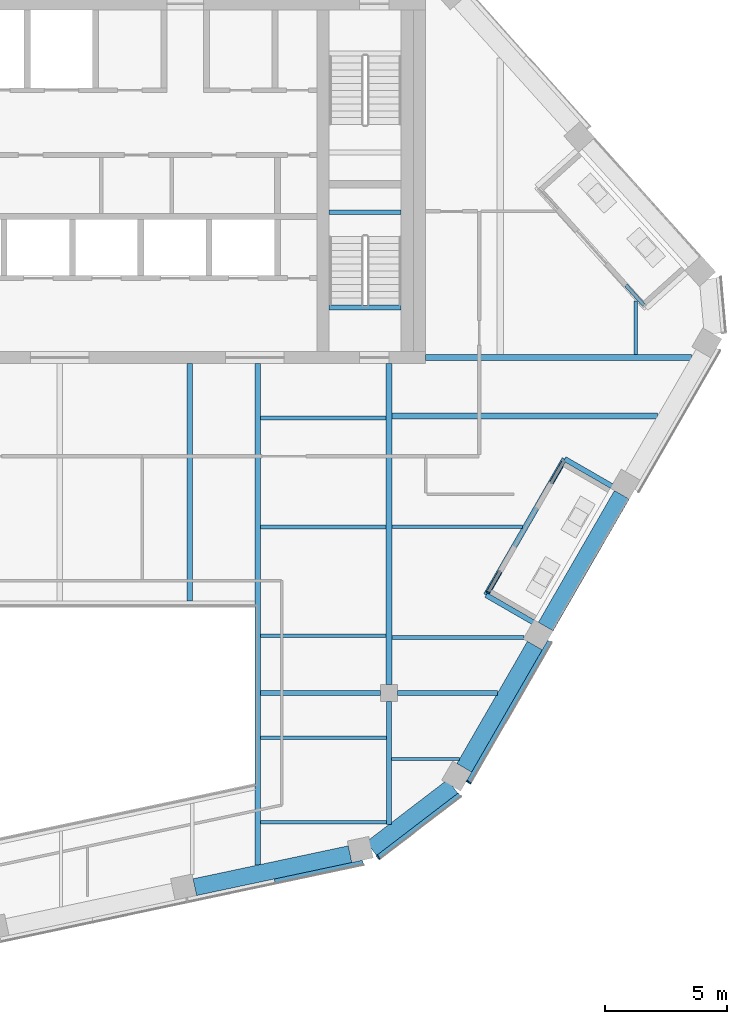
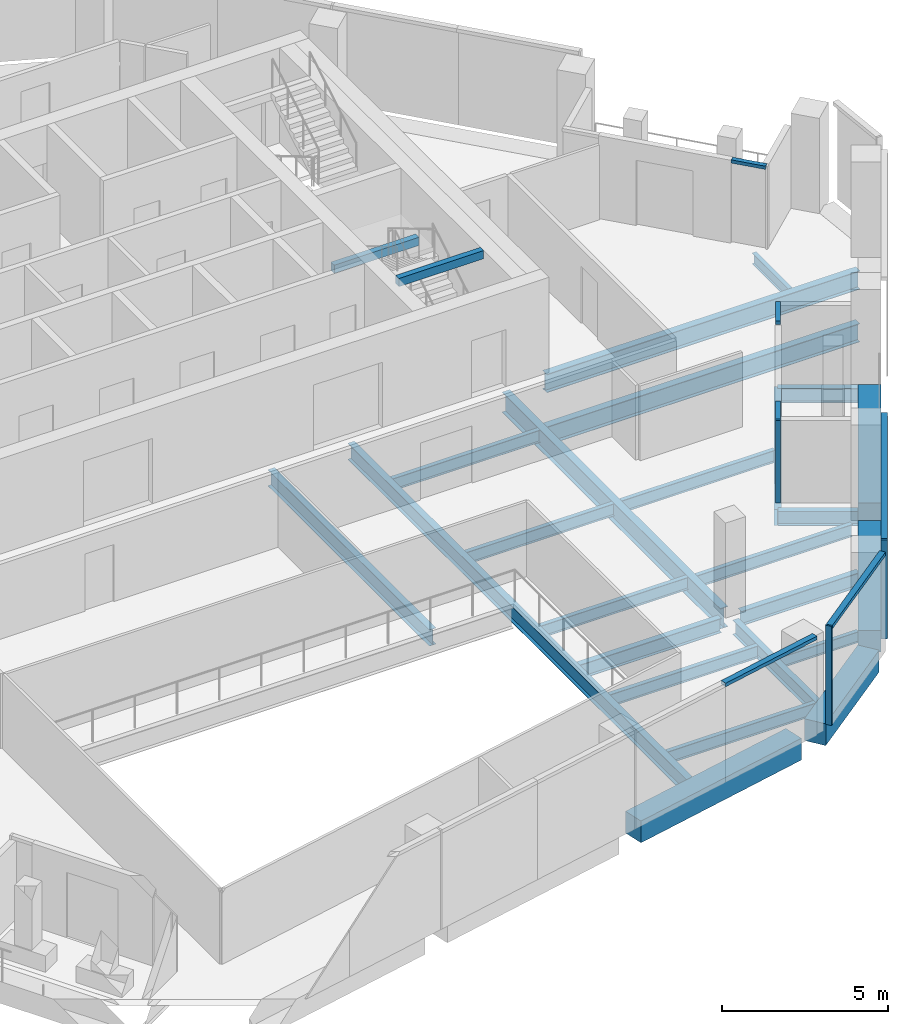
# One storey, part 5 of 20: 26 beams, 9 members, 5 elements without a shape of their own.
"""IFC4 building model written with IfcOpenShell, lengths in metres."""

from ifc_helpers import new_model, si_unit, direction, frame, origin, origin_2d, place, context, subcontext, project, spatial, rectangle, i_section, extrude, material, layer, layer_set, material_profile, profile_set, type_object, element, aggregate, save


model = new_model("IFC4")

# Units and contexts
model_context = context("Model", 3, precision=1e-05, world=origin(), true_north=direction((0.0, 1.0)))
body_context = subcontext(model_context, "Body", "Model", "MODEL_VIEW")
ifc_project = project(units=[si_unit("LENGTHUNIT", "METRE"), si_unit("AREAUNIT", "SQUARE_METRE"), si_unit("VOLUMEUNIT", "CUBIC_METRE"), si_unit("PLANEANGLEUNIT", "RADIAN"), si_unit("MASSUNIT", "GRAM", prefix="KILO")], contexts=[model_context])

# Site, building, storey
site_placement = place(None, origin())
site = spatial("IfcSite", under=ifc_project, at=site_placement, CompositionType="ELEMENT")
building_placement = place(site_placement, origin())
building = spatial("IfcBuilding", under=site, at=building_placement, Name="Isthmus Gate Tower", CompositionType="ELEMENT")
storey_placement = place(building_placement, frame((0.0, 0.0, 279.199951171875)))
storey = spatial("IfcBuildingStorey", under=building, at=storey_placement, Name="L71", CompositionType="ELEMENT", Elevation=279.199951171875)

# Curtain wall, member
ifc_material_1 = material(Name="Aluminium, pale champagne anodised", Category="aluminium")
ifc_layer_1 = layer(ifc_material_1, 0.199951171875)
ifc_layer_set_1 = layer_set([ifc_layer_1], Name="CW-1 UNITISED CURTAIN WALL 200 DEEP")
curtain_wall_type_1 = type_object("IfcCurtainWallType", Name="CW-1 UNITISED CURTAIN WALL 200 DEEP", PredefinedType="NOTDEFINED", material=ifc_layer_set_1)
curtain_wall_1_placement = place(storey_placement, origin())
curtain_wall_1 = element("IfcCurtainWall", 1, at=curtain_wall_1_placement, inside=storey, type_object=curtain_wall_type_1, Name="CW-1 S-SE L71", PredefinedType="NOTDEFINED")
ifc_material_2 = material(Name="Aluminium, pale champagne anodised", Category="aluminium")
ifc_material_profile_1 = material_profile(ifc_material_2, rectangle(XDim=0.06005859375, YDim=0.199951171875, at=origin_2d()), Name="60x200")
ifc_profile_set_1 = profile_set([ifc_material_profile_1], Name="Aluminium, pale champagne anodised")
member_type_1 = type_object("IfcMemberType", Name="CW-1 MULLION 60 X 200", PredefinedType="MULLION", material=ifc_profile_set_1)
member_1_placement = place(storey_placement, frame((13.055908203125, -20.241455078125, 0.0), z_axis=(0.0, 0.0, 1.0), x_axis=(0.794188594387, 0.607671355706, 0.0)))
member_1 = element("IfcMember", 2, at=member_1_placement, type_object=member_type_1, Name="CW-1 mullion", PredefinedType="MULLION", context=body_context, shape_type="SweptSolid", body=[
    extrude(rectangle(XDim=0.06005859375, YDim=0.199951171875, at=origin_2d()), origin(), (0.0, 0.0, 1.0), 3.650146484375),
])

curtain_wall_2_placement = place(storey_placement, origin())
curtain_wall_2 = element("IfcCurtainWall", 3, at=curtain_wall_2_placement, inside=storey, type_object=curtain_wall_type_1, Name="CW-1 SE L71", PredefinedType="NOTDEFINED")
member_2_placement = place(storey_placement, frame((16.765380859375, -17.161376953125, 0.0), z_axis=(0.0, 0.0, 1.0), x_axis=(0.5, 0.866025403784, 0.0)))
member_2 = element("IfcMember", 4, at=member_2_placement, type_object=member_type_1, Name="CW-1 mullion", PredefinedType="MULLION", context=body_context, shape_type="SweptSolid", body=[
    extrude(rectangle(XDim=0.06005859375, YDim=0.199951171875, at=origin_2d()), origin(), (0.0, 0.0, 1.0), 3.650146484375),
])

curtain_wall_3_placement = place(storey_placement, origin())
curtain_wall_3 = element("IfcCurtainWall", 5, at=curtain_wall_3_placement, inside=storey, type_object=curtain_wall_type_1, Name="CW-1 S L71", PredefinedType="NOTDEFINED")
ifc_material_3 = material(Name="Aluminium, pale champagne anodised", Category="aluminium")
ifc_material_profile_2 = material_profile(ifc_material_3, rectangle(XDim=0.199951171875, YDim=0.1298828125, at=origin_2d()), Name="200x130")
ifc_profile_set_2 = profile_set([ifc_material_profile_2], Name="Aluminium, pale champagne anodised")
member_type_2 = type_object("IfcMemberType", Name="CW-1 TRANSOM 200 X 130", PredefinedType="USERDEFINED", material=ifc_profile_set_2)
member_3_placement = place(storey_placement, frame((8.816162109375, -21.228271484375, 3.5849609375), z_axis=(0.978146451283, 0.207917098487, 0.0), x_axis=(-0.207917098487, 0.978146451283, 0.0)))
member_3 = element("IfcMember", 6, at=member_3_placement, type_object=member_type_2, Name="CW-1 transom", ObjectType="TRANSOM", PredefinedType="USERDEFINED", context=body_context, shape_type="SweptSolid", body=[
    extrude(rectangle(XDim=0.199951171875, YDim=0.1298828125, at=origin_2d()), origin(), (0.0, 0.0, 1.0), 3.70361328125),
])
aggregate(curtain_wall_3, [member_3])

# Member
member_4_placement = place(storey_placement, frame((13.07958984375, -20.22314453125, 3.5849609375), z_axis=(0.794225234414, 0.607623466482, 0.0), x_axis=(-0.607623466482, 0.794225234414, 0.0)))
member_4 = element("IfcMember", 7, at=member_4_placement, type_object=member_type_2, Name="CW-1 transom", ObjectType="TRANSOM", PredefinedType="USERDEFINED", context=body_context, shape_type="SweptSolid", body=[
    extrude(rectangle(XDim=0.199951171875, YDim=0.1298828125, at=origin_2d()), origin(), (0.0, 0.0, 1.0), 4.181396484375),
])

aggregate(curtain_wall_1, [member_1, member_4])

member_5_placement = place(storey_placement, frame((16.780517578125, -17.135498046875, 3.5849609375), z_axis=(0.49999574405, 0.866027860944, 0.0), x_axis=(-0.866027860944, 0.49999574405, 0.0)))
member_5 = element("IfcMember", 8, at=member_5_placement, type_object=member_type_2, Name="CW-1 transom", ObjectType="TRANSOM", PredefinedType="USERDEFINED", context=body_context, shape_type="SweptSolid", body=[
    extrude(rectangle(XDim=0.199951171875, YDim=0.1298828125, at=origin_2d()), origin(), (0.0, 0.0, 1.0), 6.62451171875),
])

aggregate(curtain_wall_2, [member_2, member_5])

# Curtain wall, members
ifc_material_4 = material(Name="Aluminium, pale champagne anodised", Category="aluminium")
ifc_layer_2 = layer(ifc_material_4, 0.14990234375)
ifc_layer_set_2 = layer_set([ifc_layer_2], Name="CW-6 LOGGIA BACK WALL GLAZING 150 DEEP")
curtain_wall_type_2 = type_object("IfcCurtainWallType", Name="CW-6 LOGGIA BACK WALL GLAZING 150 DEEP", PredefinedType="NOTDEFINED", material=ifc_layer_set_2)
curtain_wall_4_placement = place(storey_placement, origin())
curtain_wall_4 = element("IfcCurtainWall", 9, at=curtain_wall_4_placement, inside=storey, type_object=curtain_wall_type_2, Name="CW-6 SE L71", PredefinedType="NOTDEFINED")
ifc_material_5 = material(Name="Aluminium, pale champagne anodised", Category="aluminium")
ifc_material_profile_3 = material_profile(ifc_material_5, rectangle(XDim=0.06005859375, YDim=0.14990234375, at=origin_2d()), Name="60x150")
ifc_profile_set_3 = profile_set([ifc_material_profile_3], Name="Aluminium, pale champagne anodised")
member_type_3 = type_object("IfcMemberType", Name="CW-6 MULLION 60 X 150", PredefinedType="MULLION", material=ifc_profile_set_3)
member_6_placement = place(storey_placement, frame((17.5615234375, -9.382568359375, 0.0), z_axis=(0.0, 0.0, 1.0), x_axis=(0.5, 0.866025403784, 0.0)))
member_6 = element("IfcMember", 10, at=member_6_placement, type_object=member_type_3, Name="CW-6 mullion", PredefinedType="MULLION", context=body_context, shape_type="SweptSolid", body=[
    extrude(rectangle(XDim=0.06005859375, YDim=0.14990234375, at=origin_2d()), origin(), (0.0, 0.0, 1.0), 3.050048828125),
])
ifc_material_6 = material(Name="Aluminium, pale champagne anodised", Category="aluminium")
ifc_material_profile_4 = material_profile(ifc_material_6, rectangle(XDim=0.14990234375, YDim=0.1201171875, at=origin_2d()), Name="150x120")
ifc_profile_set_4 = profile_set([ifc_material_profile_4], Name="Aluminium, pale champagne anodised")
member_type_4 = type_object("IfcMemberType", Name="CW-6 TRANSOM 150 X 120", PredefinedType="USERDEFINED", material=ifc_profile_set_4)
member_7_placement = place(storey_placement, frame((17.576416015625, -9.356689453125, 2.989990234375), z_axis=(0.500060909899, 0.865990234582, 0.0), x_axis=(-0.865990234582, 0.500060909899, 0.0)))
member_7 = element("IfcMember", 11, at=member_7_placement, type_object=member_type_4, Name="CW-6 transom", ObjectType="TRANSOM", PredefinedType="USERDEFINED", context=body_context, shape_type="SweptSolid", body=[
    extrude(rectangle(XDim=0.14990234375, YDim=0.1201171875, at=origin_2d()), origin(), (0.0, 0.0, 1.0), 0.95751953125),
])
member_8_placement = place(storey_placement, frame((20.155029296875, -4.890380859375, 2.989990234375), z_axis=(0.500165633897, 0.865929753888, 0.0), x_axis=(-0.865929753888, 0.500165633897, 0.0)))
member_8 = element("IfcMember", 12, at=member_8_placement, type_object=member_type_4, Name="CW-6 transom", ObjectType="TRANSOM", PredefinedType="USERDEFINED", context=body_context, shape_type="SweptSolid", body=[
    extrude(rectangle(XDim=0.14990234375, YDim=0.1201171875, at=origin_2d()), origin(), (0.0, 0.0, 1.0), 1.017333984375),
])
aggregate(curtain_wall_4, [member_6, member_7, member_8])

# Curtain wall, member
curtain_wall_5_placement = place(storey_placement, origin())
curtain_wall_5 = element("IfcCurtainWall", 13, at=curtain_wall_5_placement, inside=storey, type_object=curtain_wall_type_2, Name="CW-6 NE L71", PredefinedType="NOTDEFINED")
member_9_placement = place(storey_placement, frame((23.9482421875, 2.3916015625, 2.989990234375), z_axis=(-0.6690757317, 0.743194231174, 0.0), x_axis=(-0.743194231174, -0.6690757317, 0.0)))
member_9 = element("IfcMember", 14, at=member_9_placement, type_object=member_type_4, Name="CW-6 transom", ObjectType="TRANSOM", PredefinedType="USERDEFINED", context=body_context, shape_type="SweptSolid", body=[
    extrude(rectangle(XDim=0.14990234375, YDim=0.1201171875, at=origin_2d()), origin(), (0.0, 0.0, 1.0), 1.093505859375),
])
aggregate(curtain_wall_5, [member_9])

# Beams
ifc_material_7 = material(Name="Concrete f'c 50 MPa", Category="concrete")
ifc_material_profile_5 = material_profile(ifc_material_7, rectangle(XDim=0.699951171875, YDim=0.800048828125, at=origin_2d()), Name="RC 700X800")
ifc_profile_set_5 = profile_set([ifc_material_profile_5], Name="Concrete f'c 50 MPa")
beam_type_1 = type_object("IfcBeamType", Name="RC SPANDREL 700 X 800", PredefinedType="SPANDREL", material=ifc_profile_set_5)
beam_1_placement = place(storey_placement, frame((23.045166015625, -5.384521484375, -0.39990234375), z_axis=(-0.499997027648, -0.866027119866, 0.0), x_axis=(0.866027119866, -0.499997027648, 0.0)))
element("IfcBeam", 15, at=beam_1_placement, inside=storey, type_object=beam_type_1, Name="str-spandrel-L71-06", PredefinedType="SPANDREL", context=body_context, shape_type="SweptSolid", body=[
    extrude(rectangle(XDim=0.699951171875, YDim=0.800048828125, at=origin_2d()), origin(), (0.0, 0.0, 1.0), 6.234375),
])
beam_2_placement = place(storey_placement, frame((19.47802734375, -11.56298828125, -0.39990234375), z_axis=(-0.499992798144, -0.866029561738, 0.0), x_axis=(0.866029561738, -0.499992798144, 0.0)))
element("IfcBeam", 16, at=beam_2_placement, inside=storey, type_object=beam_type_1, Name="str-spandrel-L71-07", PredefinedType="SPANDREL", context=body_context, shape_type="SweptSolid", body=[
    extrude(rectangle(XDim=0.699951171875, YDim=0.800048828125, at=origin_2d()), origin(), (0.0, 0.0, 1.0), 5.78466796875),
])
beam_3_placement = place(storey_placement, frame((16.110595703125, -17.337646484375, -0.39990234375), z_axis=(-0.794204252251, -0.607650891307, 0.0), x_axis=(0.607650891307, -0.794204252251, 0.0)))
element("IfcBeam", 17, at=beam_3_placement, inside=storey, type_object=beam_type_1, Name="str-spandrel-L71-08", PredefinedType="SPANDREL", context=body_context, shape_type="SweptSolid", body=[
    extrude(rectangle(XDim=0.699951171875, YDim=0.800048828125, at=origin_2d()), origin(), (0.0, 0.0, 1.0), 4.197021484375),
])
beam_4_placement = place(storey_placement, frame((11.90478515625, -20.11181640625, -0.39990234375), z_axis=(-0.978148646173, -0.207906772352, 0.0), x_axis=(0.207906772352, -0.978148646173, 0.0)))
element("IfcBeam", 18, at=beam_4_placement, inside=storey, type_object=beam_type_1, Name="str-spandrel-L71-09", PredefinedType="SPANDREL", context=body_context, shape_type="SweptSolid", body=[
    extrude(rectangle(XDim=0.699951171875, YDim=0.800048828125, at=origin_2d()), origin(), (0.0, 0.0, 1.0), 6.506591796875),
])
ifc_material_8 = material(Name="Concrete f'c 40 MPa", Category="concrete")
ifc_material_profile_6 = material_profile(ifc_material_8, rectangle(XDim=0.199951171875, YDim=0.300048828125, at=origin_2d()), Name="STAIR LANDING BEAM RC 200 X 300")
ifc_profile_set_6 = profile_set([ifc_material_profile_6], Name="Concrete f'c 40 MPa")
beam_type_2 = type_object("IfcBeamType", Name="STAIR LANDING BEAM RC 200 X 300", PredefinedType="BEAM", material=ifc_profile_set_6)
for number, where, z_axis, x_axis, name in (
    (19, (11.050048828125, 6.199951171875, 1.47509765625), (1.0, 0.0, 0.0), (0.0, 1.0, 0.0), "L71 ST8 landing beam 1"),
    (20, (11.050048828125, 2.2998046875, 3.35009765625), (1.0, 0.0, 0.0), (0.0, 1.0, 0.0), "L71 ST8 floor-edge seat beam"),
):
    element("IfcBeam", number, at=place(storey_placement, frame(where, z_axis=z_axis, x_axis=x_axis)), inside=storey, type_object=beam_type_2, Name=name, PredefinedType="BEAM", context=body_context, shape_type="SweptSolid", body=[
        extrude(rectangle(XDim=0.199951171875, YDim=0.300048828125, at=origin_2d()), origin(), (0.0, 0.0, 1.0), 2.949951171875),
    ])
ifc_material_9 = material(Name="Structural steel ASTM A992 Gr 50", Category="steel")
ifc_material_profile_7 = material_profile(ifc_material_9, i_section(OverallWidth=0.1396484375, OverallDepth=0.4033203125, WebThickness=0.00634765625, FlangeThickness=0.010986328125, at=origin_2d()), Name="W16X31")
ifc_profile_set_7 = profile_set([ifc_material_profile_7], Name="Structural steel ASTM A992 Gr 50")
beam_type_3 = type_object("IfcBeamType", Name="STEEL FLOOR BEAM W16X31", PredefinedType="JOIST", material=ifc_profile_set_7)
beam_5_placement = place(storey_placement, frame((23.61865234375, 0.376953125, -0.3515625), z_axis=(0.0, 1.0, 0.0), x_axis=(-1.0, 0.0, 0.0)))
element("IfcBeam", 21, at=beam_5_placement, inside=storey, type_object=beam_type_3, Name="str-beam-L71-11-07", PredefinedType="JOIST", context=body_context, shape_type="SweptSolid", body=[
    extrude(i_section(OverallWidth=0.1396484375, OverallDepth=0.4033203125, WebThickness=0.00634765625, FlangeThickness=0.010986328125, at=origin_2d()), origin(), (0.0, 0.0, 1.0), 2.188720703125),
])
beam_6_placement = place(storey_placement, frame((13.604736328125, -16.20947265625, -0.3515625), z_axis=(1.0, 0.0, 0.0), x_axis=(0.0, 1.0, 0.0)))
element("IfcBeam", 22, at=beam_6_placement, inside=storey, type_object=beam_type_3, Name="str-beam-L71-15-00", PredefinedType="JOIST", context=body_context, shape_type="SweptSolid", body=[
    extrude(i_section(OverallWidth=0.1396484375, OverallDepth=0.4033203125, WebThickness=0.00634765625, FlangeThickness=0.010986328125, at=origin_2d()), origin(), (0.0, 0.0, 1.0), 2.78662109375),
])
ifc_material_10 = material(Name="Structural steel ASTM A992 Gr 50", Category="steel")
ifc_material_profile_8 = material_profile(ifc_material_10, i_section(OverallWidth=0.15234375, OverallDepth=0.45068359375, WebThickness=0.0078125, FlangeThickness=0.010986328125, at=origin_2d()), Name="W18X35")
ifc_profile_set_8 = profile_set([ifc_material_profile_8], Name="Structural steel ASTM A992 Gr 50")
beam_type_4 = type_object("IfcBeamType", Name="STEEL FLOOR BEAM W18X35", PredefinedType="JOIST", material=ifc_profile_set_8)
for number, where, z_axis, x_axis, name in (
    (23, (8.228515625, -18.802734375, -0.375244140625), (1.0, 0.0, 0.0), (0.0, 1.0, 0.0), "str-beam-L71-13-00"),
    (24, (8.228515625, -15.33740234375, -0.375244140625), (1.0, 0.0, 0.0), (0.0, 1.0, 0.0), "str-beam-L71-13-01"),
):
    element("IfcBeam", number, at=place(storey_placement, frame(where, z_axis=z_axis, x_axis=x_axis)), inside=storey, type_object=beam_type_4, Name=name, PredefinedType="JOIST", context=body_context, shape_type="SweptSolid", body=[
        extrude(i_section(OverallWidth=0.15234375, OverallDepth=0.45068359375, WebThickness=0.0078125, FlangeThickness=0.010986328125, at=origin_2d()), origin(), (0.0, 0.0, 1.0), 5.166748046875),
    ])
for number, where, z_axis, x_axis, name in (
    (25, (8.228515625, -11.16259765625, -0.375244140625), (1.0, 0.0, 0.0), (0.0, 1.0, 0.0), "str-beam-L71-14-00"),
    (26, (8.228515625, -6.697509765625, -0.375244140625), (1.0, 0.0, 0.0), (0.0, 1.0, 0.0), "str-beam-L71-14-01"),
    (27, (8.228515625, -2.232421875, -0.375244140625), (1.0, 0.0, 0.0), (0.0, 1.0, 0.0), "str-beam-L71-14-02"),
):
    element("IfcBeam", number, at=place(storey_placement, frame(where, z_axis=z_axis, x_axis=x_axis)), inside=storey, type_object=beam_type_4, Name=name, PredefinedType="JOIST", context=body_context, shape_type="SweptSolid", body=[
        extrude(i_section(OverallWidth=0.15234375, OverallDepth=0.45068359375, WebThickness=0.0078125, FlangeThickness=0.010986328125, at=origin_2d()), origin(), (0.0, 0.0, 1.0), 5.1396484375),
    ])
beam_7_placement = place(storey_placement, frame((13.6318359375, -11.2294921875, -0.375244140625), z_axis=(1.0, 0.0, 0.0), x_axis=(0.0, 1.0, 0.0)))
element("IfcBeam", 28, at=beam_7_placement, inside=storey, type_object=beam_type_4, Name="str-beam-L71-16-00", PredefinedType="JOIST", context=body_context, shape_type="SweptSolid", body=[
    extrude(i_section(OverallWidth=0.15234375, OverallDepth=0.45068359375, WebThickness=0.0078125, FlangeThickness=0.010986328125, at=origin_2d()), origin(), (0.0, 0.0, 1.0), 5.40380859375),
])
beam_8_placement = place(storey_placement, frame((13.6318359375, -6.6884765625, -0.375244140625), z_axis=(1.0, 0.0, 0.0), x_axis=(0.0, 1.0, 0.0)))
element("IfcBeam", 29, at=beam_8_placement, inside=storey, type_object=beam_type_4, Name="str-beam-L71-16-01", PredefinedType="JOIST", context=body_context, shape_type="SweptSolid", body=[
    extrude(i_section(OverallWidth=0.15234375, OverallDepth=0.45068359375, WebThickness=0.0078125, FlangeThickness=0.010986328125, at=origin_2d()), origin(), (0.0, 0.0, 1.0), 5.336669921875),
])
ifc_material_11 = material(Name="Structural steel ASTM A992 Gr 50", Category="steel")
ifc_material_profile_9 = material_profile(ifc_material_11, i_section(OverallWidth=0.228515625, OverallDepth=0.603271484375, WebThickness=0.010986328125, FlangeThickness=0.014404296875, at=origin_2d()), Name="W24X68")
ifc_profile_set_9 = profile_set([ifc_material_profile_9], Name="Structural steel ASTM A992 Gr 50")
beam_type_5 = type_object("IfcBeamType", Name="STEEL FLOOR BEAM W24X68", PredefinedType="JOIST", material=ifc_profile_set_9)
beam_9_placement = place(storey_placement, frame((5.333251953125, -9.7333984375, -0.45166015625), z_axis=(0.0, 1.0, 0.0), x_axis=(-1.0, 0.0, 0.0)))
element("IfcBeam", 30, at=beam_9_placement, inside=storey, type_object=beam_type_5, Name="str-beam-L71-10-02", PredefinedType="JOIST", context=body_context, shape_type="SweptSolid", body=[
    extrude(i_section(OverallWidth=0.228515625, OverallDepth=0.603271484375, WebThickness=0.010986328125, FlangeThickness=0.014404296875, at=origin_2d()), origin(), (0.0, 0.0, 1.0), 9.7333984375),
])
ifc_material_12 = material(Name="Structural steel ASTM A992 Gr 50", Category="steel")
ifc_material_profile_10 = material_profile(ifc_material_12, i_section(OverallWidth=0.25390625, OverallDepth=0.679443359375, WebThickness=0.010986328125, FlangeThickness=0.015869140625, at=origin_2d()), Name="W27X84")
ifc_profile_set_10 = profile_set([ifc_material_profile_10], Name="Structural steel ASTM A992 Gr 50")
beam_type_6 = type_object("IfcBeamType", Name="STEEL FLOOR BEAM W27X84", PredefinedType="JOIST", material=ifc_profile_set_10)
beam_10_placement = place(storey_placement, frame((13.6318359375, -2.1474609375, -0.48974609375), z_axis=(1.0, 0.0, 0.0), x_axis=(0.0, 1.0, 0.0)))
element("IfcBeam", 31, at=beam_10_placement, inside=storey, type_object=beam_type_6, Name="str-beam-L71-16-02", PredefinedType="JOIST", context=body_context, shape_type="SweptSolid", body=[
    extrude(i_section(OverallWidth=0.25390625, OverallDepth=0.679443359375, WebThickness=0.010986328125, FlangeThickness=0.015869140625, at=origin_2d()), origin(), (0.0, 0.0, 1.0), 10.878173828125),
])
ifc_material_13 = material(Name="Structural steel ASTM A992 Gr 50", Category="steel")
ifc_material_profile_11 = material_profile(ifc_material_13, i_section(OverallWidth=0.20947265625, OverallDepth=0.533447265625, WebThickness=0.009521484375, FlangeThickness=0.015869140625, at=origin_2d()), Name="W21X62")
ifc_profile_set_11 = profile_set([ifc_material_profile_11], Name="Structural steel ASTM A992 Gr 50")
beam_type_7 = type_object("IfcBeamType", Name="STEEL GIRDER W21X62", PredefinedType="BEAM", material=ifc_profile_set_11)
beam_11_placement = place(storey_placement, frame((8.228515625, -13.5, -0.416748046875), z_axis=(1.0, 0.0, 0.0), x_axis=(0.0, 1.0, 0.0)))
element("IfcBeam", 32, at=beam_11_placement, inside=storey, type_object=beam_type_7, Name="str-girder-L71-03", PredefinedType="BEAM", context=body_context, shape_type="SweptSolid", body=[
    extrude(i_section(OverallWidth=0.20947265625, OverallDepth=0.533447265625, WebThickness=0.009521484375, FlangeThickness=0.015869140625, at=origin_2d()), origin(), (0.0, 0.0, 1.0), 4.92138671875),
])
beam_12_placement = place(storey_placement, frame((13.85009765625, -13.5, -0.416748046875), z_axis=(1.0, 0.0, 0.0), x_axis=(0.0, 1.0, 0.0)))
element("IfcBeam", 33, at=beam_12_placement, inside=storey, type_object=beam_type_7, Name="str-girder-L71-04", PredefinedType="BEAM", context=body_context, shape_type="SweptSolid", body=[
    extrude(i_section(OverallWidth=0.20947265625, OverallDepth=0.533447265625, WebThickness=0.009521484375, FlangeThickness=0.015869140625, at=origin_2d()), origin(), (0.0, 0.0, 1.0), 4.10546875),
])
beam_13_placement = place(storey_placement, frame((13.5, -18.894287109375, -0.416748046875), z_axis=(0.0, 1.0, 0.0), x_axis=(-1.0, 0.0, 0.0)))
element("IfcBeam", 34, at=beam_13_placement, inside=storey, type_object=beam_type_7, Name="str-girder-L71-07", PredefinedType="BEAM", context=body_context, shape_type="SweptSolid", body=[
    extrude(i_section(OverallWidth=0.20947265625, OverallDepth=0.533447265625, WebThickness=0.009521484375, FlangeThickness=0.015869140625, at=origin_2d()), origin(), (0.0, 0.0, 1.0), 5.044189453125),
])
ifc_material_14 = material(Name="Structural steel ASTM A992 Gr 50", Category="steel")
ifc_material_profile_12 = material_profile(ifc_material_14, i_section(OverallWidth=0.25390625, OverallDepth=0.679443359375, WebThickness=0.010986328125, FlangeThickness=0.015869140625, at=origin_2d()), Name="W27X84")
ifc_profile_set_12 = profile_set([ifc_material_profile_12], Name="Structural steel ASTM A992 Gr 50")
beam_type_8 = type_object("IfcBeamType", Name="STEEL GIRDER W27X84", PredefinedType="BEAM", material=ifc_profile_set_12)
beam_14_placement = place(storey_placement, frame((15.0, 0.25, -0.48974609375), z_axis=(1.0, 0.0, 0.0), x_axis=(0.0, 1.0, 0.0)))
element("IfcBeam", 35, at=beam_14_placement, inside=storey, type_object=beam_type_8, Name="str-girder-L71-10", PredefinedType="BEAM", context=body_context, shape_type="SweptSolid", body=[
    extrude(i_section(OverallWidth=0.25390625, OverallDepth=0.679443359375, WebThickness=0.010986328125, FlangeThickness=0.015869140625, at=origin_2d()), origin(), (0.0, 0.0, 1.0), 10.89404296875),
])
ifc_material_15 = material(Name="Structural steel ASTM A992 Gr 50", Category="steel")
ifc_material_profile_13 = material_profile(ifc_material_15, i_section(OverallWidth=0.263427734375, OverallDepth=0.749267578125, WebThickness=0.0126953125, FlangeThickness=0.015869140625, at=origin_2d()), Name="W30X90")
ifc_profile_set_13 = profile_set([ifc_material_profile_13], Name="Structural steel ASTM A992 Gr 50")
beam_type_9 = type_object("IfcBeamType", Name="STEEL GIRDER W30X90", PredefinedType="BEAM", material=ifc_profile_set_13)
beam_15_placement = place(storey_placement, frame((13.5, -13.14990234375, -0.524658203125), z_axis=(0.0, 1.0, 0.0), x_axis=(-1.0, 0.0, 0.0)))
element("IfcBeam", 36, at=beam_15_placement, inside=storey, type_object=beam_type_9, Name="str-girder-L71-08", PredefinedType="BEAM", context=body_context, shape_type="SweptSolid", body=[
    extrude(i_section(OverallWidth=0.263427734375, OverallDepth=0.749267578125, WebThickness=0.0126953125, FlangeThickness=0.015869140625, at=origin_2d()), origin(), (0.0, 0.0, 1.0), 13.14990234375),
])
ifc_material_16 = material(Name="Structural steel ASTM A992 Gr 50", Category="steel")
ifc_material_profile_14 = material_profile(ifc_material_16, i_section(OverallWidth=0.20947265625, OverallDepth=0.533447265625, WebThickness=0.009521484375, FlangeThickness=0.015869140625, at=origin_2d()), Name="W21X62")
ifc_profile_set_14 = profile_set([ifc_material_profile_14], Name="Structural steel ASTM A992 Gr 50")
beam_type_10 = type_object("IfcBeamType", Name="STEEL TRIMMER W21X62", PredefinedType="BEAM", material=ifc_profile_set_14)
for number, where, z_axis, x_axis, name in (
    (37, (19.572509765625, -10.699462890625, -0.416748046875), (-0.866000343812, 0.500043402633, 0.0), (-0.500043402633, -0.866000343812, 0.0), "str-loggiatrim-L71-04-A"),
    (38, (22.79443359375, -5.11865234375, -0.416748046875), (-0.866044131922, 0.499967560512, 0.0), (-0.499967560512, -0.866044131922, 0.0), "str-loggiatrim-L71-04-C"),
):
    element("IfcBeam", number, at=place(storey_placement, frame(where, z_axis=z_axis, x_axis=x_axis)), inside=storey, type_object=beam_type_10, Name=name, PredefinedType="BEAM", context=body_context, shape_type="SweptSolid", body=[
        extrude(i_section(OverallWidth=0.20947265625, OverallDepth=0.533447265625, WebThickness=0.009521484375, FlangeThickness=0.015869140625, at=origin_2d()), origin(), (0.0, 0.0, 1.0), 2.414306640625),
    ])
ifc_material_17 = material(Name="Structural steel ASTM A992 Gr 50", Category="steel")
ifc_material_profile_15 = material_profile(ifc_material_17, i_section(OverallWidth=0.228515625, OverallDepth=0.603271484375, WebThickness=0.010986328125, FlangeThickness=0.014404296875, at=origin_2d()), Name="W24X68")
ifc_profile_set_15 = profile_set([ifc_material_profile_15], Name="Structural steel ASTM A992 Gr 50")
beam_type_11 = type_object("IfcBeamType", Name="STEEL TRIMMER W24X68", PredefinedType="BEAM", material=ifc_profile_set_15)
beam_16_placement = place(storey_placement, frame((17.481689453125, -9.4921875, -0.45166015625), z_axis=(0.499997941211, 0.866026592423, 0.0), x_axis=(-0.866026592423, 0.499997941211, 0.0)))
element("IfcBeam", 39, at=beam_16_placement, inside=storey, type_object=beam_type_11, Name="str-loggiatrim-L71-04-B", PredefinedType="BEAM", context=body_context, shape_type="SweptSolid", body=[
    extrude(i_section(OverallWidth=0.228515625, OverallDepth=0.603271484375, WebThickness=0.010986328125, FlangeThickness=0.014404296875, at=origin_2d()), origin(), (0.0, 0.0, 1.0), 6.44384765625),
])
beam_17_placement = place(storey_placement, frame((8.1142578125, -20.5595703125, -0.45166015625), z_axis=(0.0, 1.0, 0.0), x_axis=(-1.0, 0.0, 0.0)))
element("IfcBeam", 40, at=beam_17_placement, inside=storey, type_object=beam_type_11, Name="str-trimmer-L71-01", PredefinedType="BEAM", context=body_context, shape_type="SweptSolid", body=[
    extrude(i_section(OverallWidth=0.228515625, OverallDepth=0.603271484375, WebThickness=0.010986328125, FlangeThickness=0.014404296875, at=origin_2d()), origin(), (0.0, 0.0, 1.0), 20.5595703125),
])

save(model, "model.ifc")
